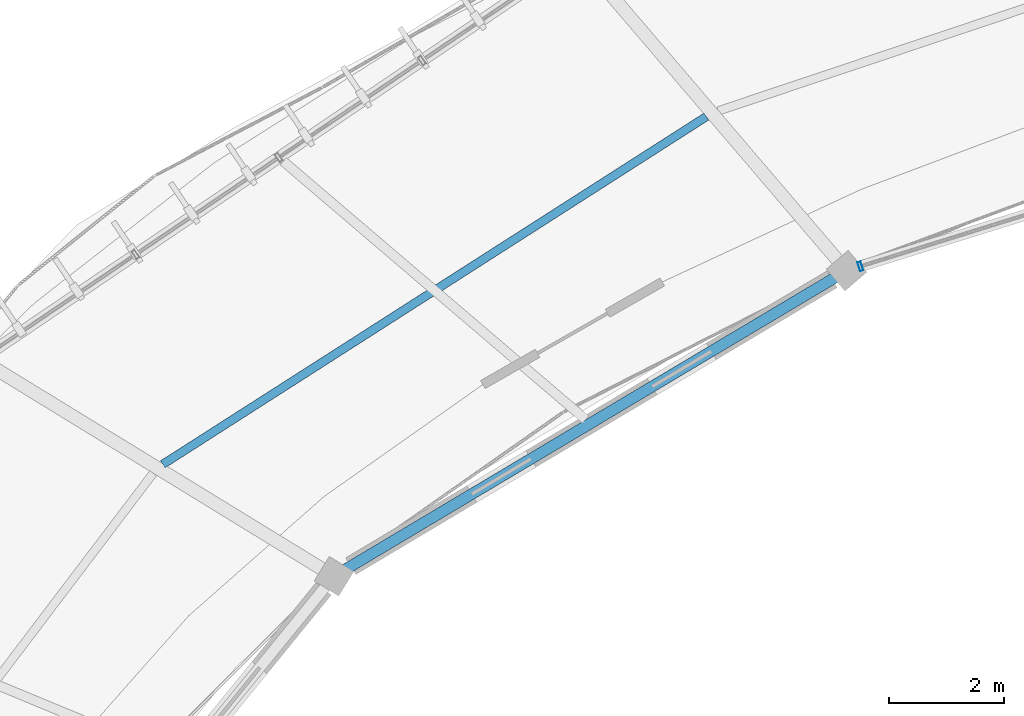
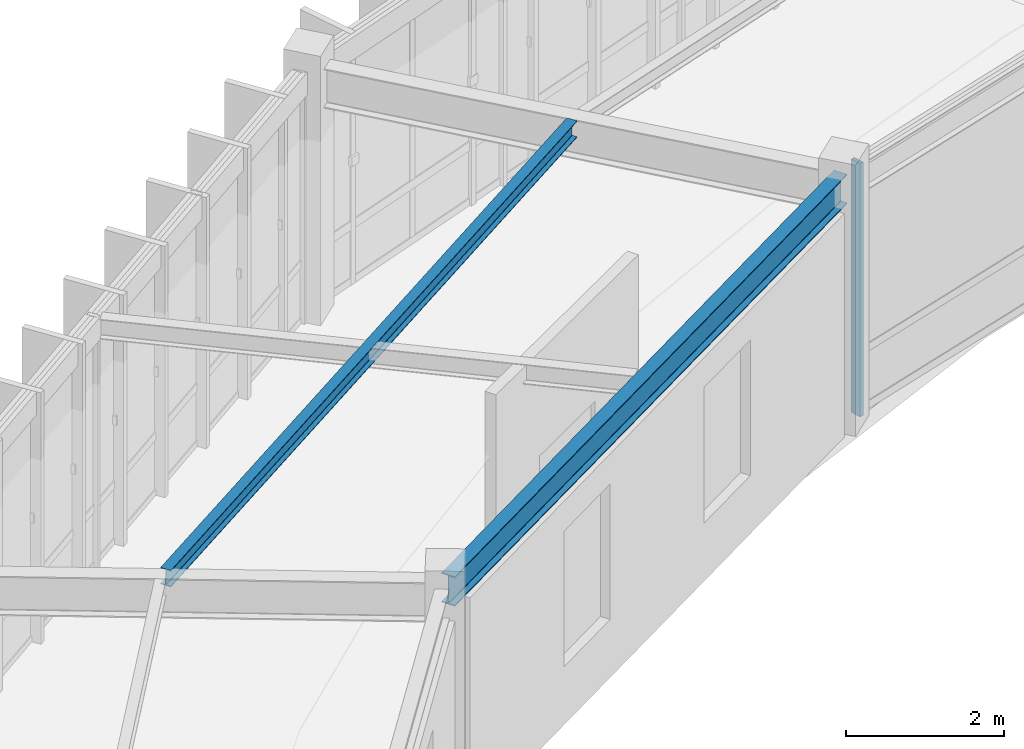
# One storey, part 27 of 78: 2 beams, 1 member, 1 element without a shape of its own.
"""IFC4 building model written with IfcOpenShell, lengths in metres."""

from ifc_helpers import new_model, si_unit, direction, frame, origin, origin_2d, place, context, subcontext, project, spatial, hollow_rectangle, i_section, extrude, material, material_profile, profile_set, type_object, element, aggregate, save


model = new_model("IFC4")

# Units and contexts
model_context = context("Model", 3, precision=1e-05, world=origin(), true_north=direction((0.0, 1.0)))
body_context = subcontext(model_context, "Body", "Model", "MODEL_VIEW")
ifc_project = project(units=[si_unit("LENGTHUNIT", "METRE"), si_unit("AREAUNIT", "SQUARE_METRE"), si_unit("VOLUMEUNIT", "CUBIC_METRE"), si_unit("PLANEANGLEUNIT", "RADIAN"), si_unit("MASSUNIT", "GRAM", prefix="KILO"), si_unit("THERMODYNAMICTEMPERATUREUNIT", "KELVIN"), si_unit("POWERUNIT", "WATT")], contexts=[model_context])

# Site, building, storey
site_placement = place(None, origin())
site = spatial("IfcSite", under=ifc_project, at=site_placement, CompositionType="ELEMENT")
building_placement = place(site_placement, origin())
building = spatial("IfcBuilding", under=site, at=building_placement, Name="Darbajah Civic Hall", CompositionType="ELEMENT")
storey_placement = place(building_placement, frame((0.0, 0.0, 26.39990234375)))
storey = spatial("IfcBuildingStorey", under=building, at=storey_placement, Name="L06", CompositionType="ELEMENT", Elevation=26.39990234375)

# Curtain wall, member
ifc_material_1 = material(Name="Anodised Bronze Aluminium and Low-E Glazing", Category="aluminium")
curtain_wall_type = type_object("IfcCurtainWallType", Name="Unitised Curtain Wall CW-67 11700x3900", PredefinedType="USERDEFINED", material=ifc_material_1)
curtain_wall_placement = place(storey_placement, origin())
curtain_wall = element("IfcCurtainWall", 1, at=curtain_wall_placement, inside=storey, type_object=curtain_wall_type, Name="L06 unitised curtain wall CW-V1I-L06-06", ObjectType="UNITISED CURTAIN WALL", PredefinedType="USERDEFINED")
ifc_material_2 = material(Name="Anodised Bronze Aluminium", Category="aluminium")
ifc_material_profile_1 = material_profile(ifc_material_2, hollow_rectangle(XDim=0.06005859375, YDim=0.159912109375, WallThickness=0.00341796875, at=origin_2d()), Name="ALU MULLION 60x160")
ifc_profile_set_1 = profile_set([ifc_material_profile_1], Name="Anodised Bronze Aluminium")
member_type = type_object("IfcMemberType", Name="ALU MULLION 60x160", PredefinedType="MULLION", material=ifc_profile_set_1)
member_placement = place(storey_placement, frame((60.894775390625, 106.832275390625, 0.0), z_axis=(0.0, 0.0, 1.0), x_axis=(-0.954604963513, -0.297874744877, 0.0)))
member = element("IfcMember", 2, at=member_placement, type_object=member_type, Name="CW-V1I-L06-06 mullion 4", PredefinedType="MULLION", context=body_context, shape_type="SweptSolid", body=[
    extrude(hollow_rectangle(XDim=0.06005859375, YDim=0.159912109375, WallThickness=0.00341796875, at=origin_2d()), origin(), (0.0, 0.0, 1.0), 3.920166015625),
])
aggregate(curtain_wall, [member])

# Beams
ifc_material_3 = material(Name="Steel S355JR", Category="steel")
ifc_material_profile_2 = material_profile(ifc_material_3, i_section(OverallWidth=0.146484375, OverallDepth=0.256103515625, WebThickness=0.00634765625, FlangeThickness=0.010986328125, FilletRadius=0.007568359375, at=origin_2d()), Name="UB 254x146x37")
ifc_profile_set_2 = profile_set([ifc_material_profile_2], Name="Steel S355JR")
beam_type_1 = type_object("IfcBeamType", Name="UB 254x146x37", PredefinedType="JOIST", material=ifc_profile_set_2)
beam_1_placement = place(storey_placement, frame((58.218505859375, 109.431884765625, 3.7919921875), z_axis=(-0.842364011789, -0.538908964152, 0.0), x_axis=(0.538908964152, -0.842364011789, 0.0)))
element("IfcBeam", 3, at=beam_1_placement, inside=storey, type_object=beam_type_1, Name="L06 beam SJ-254", PredefinedType="JOIST", context=body_context, shape_type="SweptSolid", body=[
    extrude(i_section(OverallWidth=0.146484375, OverallDepth=0.256103515625, WebThickness=0.00634765625, FlangeThickness=0.010986328125, FilletRadius=0.007568359375, at=origin_2d()), origin(), (0.0, 0.0, 1.0), 11.20166015625),
])
ifc_material_profile_3 = material_profile(ifc_material_3, i_section(OverallWidth=0.1904296875, OverallDepth=0.45703125, WebThickness=0.009033203125, FlangeThickness=0.014404296875, FilletRadius=0.01025390625, at=origin_2d()), Name="UB 457x191x74")
ifc_profile_set_3 = profile_set([ifc_material_profile_3], Name="Steel S355JR")
beam_type_2 = type_object("IfcBeamType", Name="UB 457x191x74", PredefinedType="BEAM", material=ifc_profile_set_3)
beam_2_placement = place(storey_placement, frame((60.58544921875, 106.716064453125, 3.691650390625), z_axis=(-0.858963370671, -0.512037037572, 0.0), x_axis=(0.512037037572, -0.858963370671, 0.0)))
element("IfcBeam", 4, at=beam_2_placement, inside=storey, type_object=beam_type_2, Name="L06 beam SB-457", PredefinedType="BEAM", context=body_context, shape_type="SweptSolid", body=[
    extrude(i_section(OverallWidth=0.1904296875, OverallDepth=0.45703125, WebThickness=0.009033203125, FlangeThickness=0.014404296875, FilletRadius=0.01025390625, at=origin_2d()), origin(), (0.0, 0.0, 1.0), 10.201171875),
])

save(model, "model.ifc")
